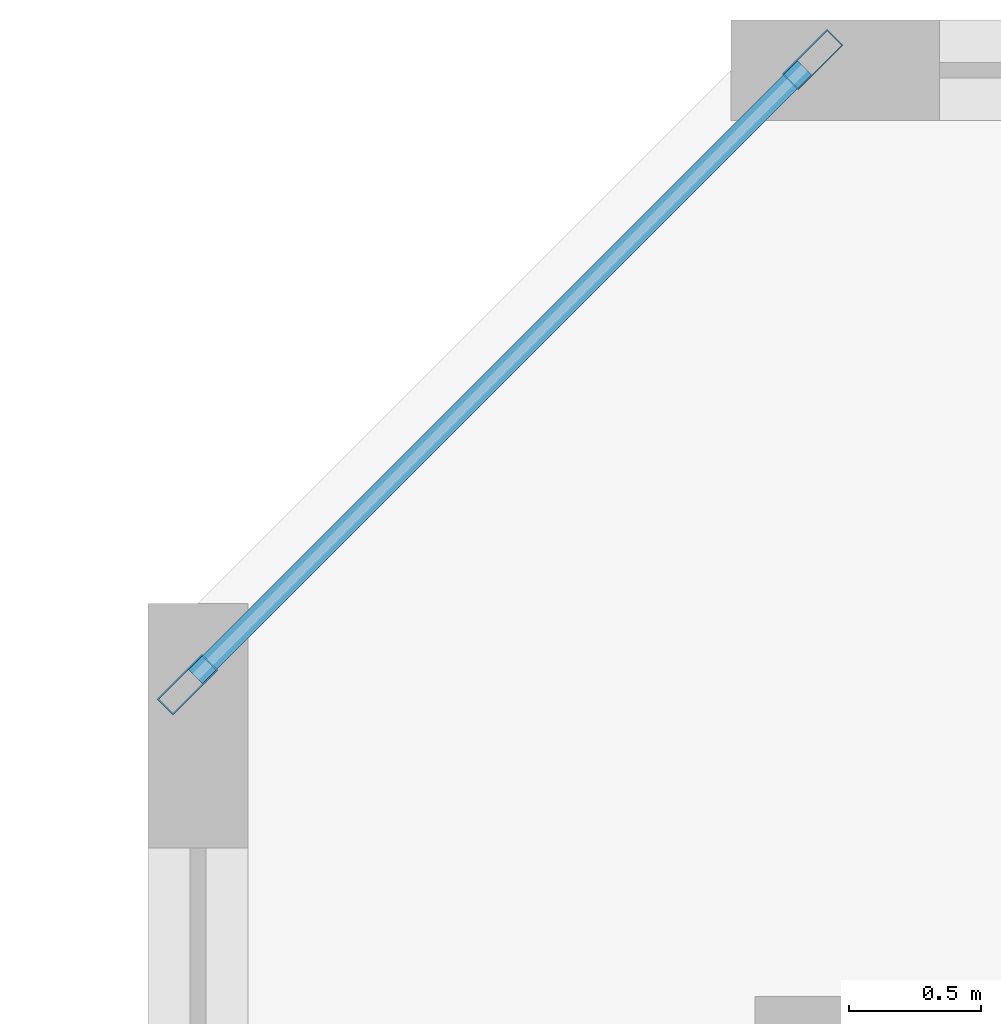
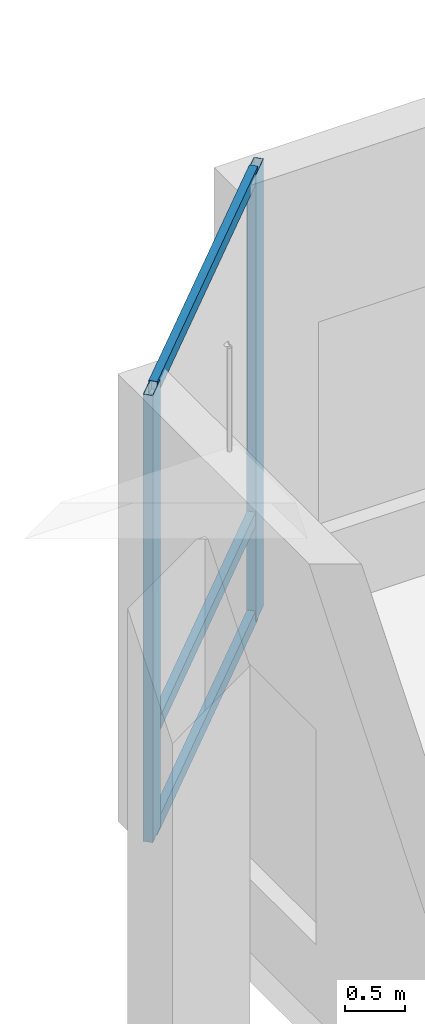
# One storey, part 4 of 20: 5 members, 1 element without a shape of its own.
"""IFC4 building model written with IfcOpenShell, lengths in metres."""

from ifc_helpers import new_model, si_unit, direction, frame, origin, origin_2d, place, context, subcontext, project, spatial, hollow_rectangle, extrude, material, layer, layer_set, material_profile, profile_set, type_object, element, aggregate, save


model = new_model("IFC4")

# Units and contexts
model_context = context("Model", 3, precision=1e-05, world=origin(), true_north=direction((0.0, 1.0)))
body_context = subcontext(model_context, "Body", "Model", "MODEL_VIEW")
ifc_project = project(units=[si_unit("LENGTHUNIT", "METRE"), si_unit("AREAUNIT", "SQUARE_METRE"), si_unit("VOLUMEUNIT", "CUBIC_METRE"), si_unit("PLANEANGLEUNIT", "RADIAN"), si_unit("MASSUNIT", "GRAM", prefix="KILO")], contexts=[model_context])

# Site, building, storey
site_placement = place(None, origin())
site = spatial("IfcSite", under=ifc_project, at=site_placement, CompositionType="ELEMENT")
building_placement = place(site_placement, origin())
building = spatial("IfcBuilding", under=site, at=building_placement, Name="Kestravale Grand Hotel", CompositionType="ELEMENT")
storey_placement = place(building_placement, frame((0.0, 0.0, 15.800048828125)))
storey = spatial("IfcBuildingStorey", under=building, at=storey_placement, Name="L03", CompositionType="ELEMENT", Elevation=15.800048828125)

# Curtain wall, members
ifc_material_1 = material(Name="Thermally broken champagne-bronze aluminium and low-E glazing", Category="aluminium")
ifc_layer = layer(ifc_material_1, 0.239990234375)
ifc_layer_set = layer_set([ifc_layer], Name="CW-POD")
curtain_wall_type = type_object("IfcCurtainWallType", Name="CW-POD", PredefinedType="NOTDEFINED", material=ifc_layer_set)
curtain_wall_placement = place(storey_placement, origin())
curtain_wall = element("IfcCurtainWall", 1, at=curtain_wall_placement, inside=storey, type_object=curtain_wall_type, Name="L03 unitised curtain wall 6", PredefinedType="NOTDEFINED")
ifc_material_2 = material(Name="Aluminium 6063-T6 anodised", Category="aluminium")
ifc_material_profile_1 = material_profile(ifc_material_2, hollow_rectangle(XDim=0.0849609375, YDim=0.239990234375, WallThickness=0.00439453125, at=origin_2d()))
ifc_profile_set_1 = profile_set([ifc_material_profile_1], Name="Aluminium 6063-T6 anodised")
member_type_1 = type_object("IfcMemberType", Name="CW-MUL-240", PredefinedType="MULLION", material=ifc_profile_set_1)
member_1_placement = place(storey_placement, frame((-0.4814453125, 51.44970703125, 0.0), z_axis=(0.0, 0.0, 1.0), x_axis=(0.707106781187, -0.707106781187, 0.0)))
member_1 = element("IfcMember", 2, at=member_1_placement, type_object=member_type_1, Name="CW-POD mullion 1", PredefinedType="MULLION", context=body_context, shape_type="SweptSolid", body=[
    extrude(hollow_rectangle(XDim=0.0849609375, YDim=0.239990234375, WallThickness=0.00439453125, at=origin_2d()), origin(), (0.0, 0.0, 1.0), 4.579833984375),
])
member_2_placement = place(storey_placement, frame((-2.849853515625, 49.08154296875, 0.0), z_axis=(0.0, 0.0, 1.0), x_axis=(0.707106781187, -0.707106781187, 0.0)))
member_2 = element("IfcMember", 3, at=member_2_placement, type_object=member_type_1, Name="CW-POD mullion 2", PredefinedType="MULLION", context=body_context, shape_type="SweptSolid", body=[
    extrude(hollow_rectangle(XDim=0.0849609375, YDim=0.239990234375, WallThickness=0.00439453125, at=origin_2d()), origin(), (0.0, 0.0, 1.0), 4.579833984375),
])
ifc_material_3 = material(Name="Aluminium 6063-T6 anodised", Category="aluminium")
ifc_material_profile_2 = material_profile(ifc_material_3, hollow_rectangle(XDim=0.074951171875, YDim=0.139892578125, WallThickness=0.00341796875, at=origin_2d()))
ifc_profile_set_2 = profile_set([ifc_material_profile_2], Name="Aluminium 6063-T6 anodised")
member_type_2 = type_object("IfcMemberType", Name="CW-TRN-140", PredefinedType="USERDEFINED", material=ifc_profile_set_2)
member_3_placement = place(storey_placement, frame((-0.51171875, 51.419677734375, 0.037353515625), z_axis=(-0.707069380992, -0.707144179403, 0.0), x_axis=(0.707144179403, -0.707069380992, 0.0)))
member_3 = element("IfcMember", 4, at=member_3_placement, type_object=member_type_2, Name="CW-POD transom 1.1", ObjectType="TRANSOM", PredefinedType="USERDEFINED", context=body_context, shape_type="SweptSolid", body=[
    extrude(hollow_rectangle(XDim=0.074951171875, YDim=0.139892578125, WallThickness=0.00341796875, at=origin_2d()), origin(), (0.0, 0.0, 1.0), 3.263916015625),
])
member_4_placement = place(storey_placement, frame((-0.51171875, 51.419677734375, 1.050048828125), z_axis=(-0.707069380992, -0.707144179403, 0.0), x_axis=(0.707144179403, -0.707069380992, 0.0)))
member_4 = element("IfcMember", 5, at=member_4_placement, type_object=member_type_2, Name="CW-POD transom 1.2", ObjectType="TRANSOM", PredefinedType="USERDEFINED", context=body_context, shape_type="SweptSolid", body=[
    extrude(hollow_rectangle(XDim=0.074951171875, YDim=0.139892578125, WallThickness=0.00341796875, at=origin_2d()), origin(), (0.0, 0.0, 1.0), 3.263916015625),
])
member_5_placement = place(storey_placement, frame((-0.51171875, 51.419677734375, 4.54248046875), z_axis=(-0.707069380992, -0.707144179403, 0.0), x_axis=(0.707144179403, -0.707069380992, 0.0)))
member_5 = element("IfcMember", 6, at=member_5_placement, type_object=member_type_2, Name="CW-POD transom 1.3", ObjectType="TRANSOM", PredefinedType="USERDEFINED", context=body_context, shape_type="SweptSolid", body=[
    extrude(hollow_rectangle(XDim=0.074951171875, YDim=0.139892578125, WallThickness=0.00341796875, at=origin_2d()), origin(), (0.0, 0.0, 1.0), 3.263916015625),
])
aggregate(curtain_wall, [member_1, member_2, member_3, member_4, member_5])

save(model, "model.ifc")
